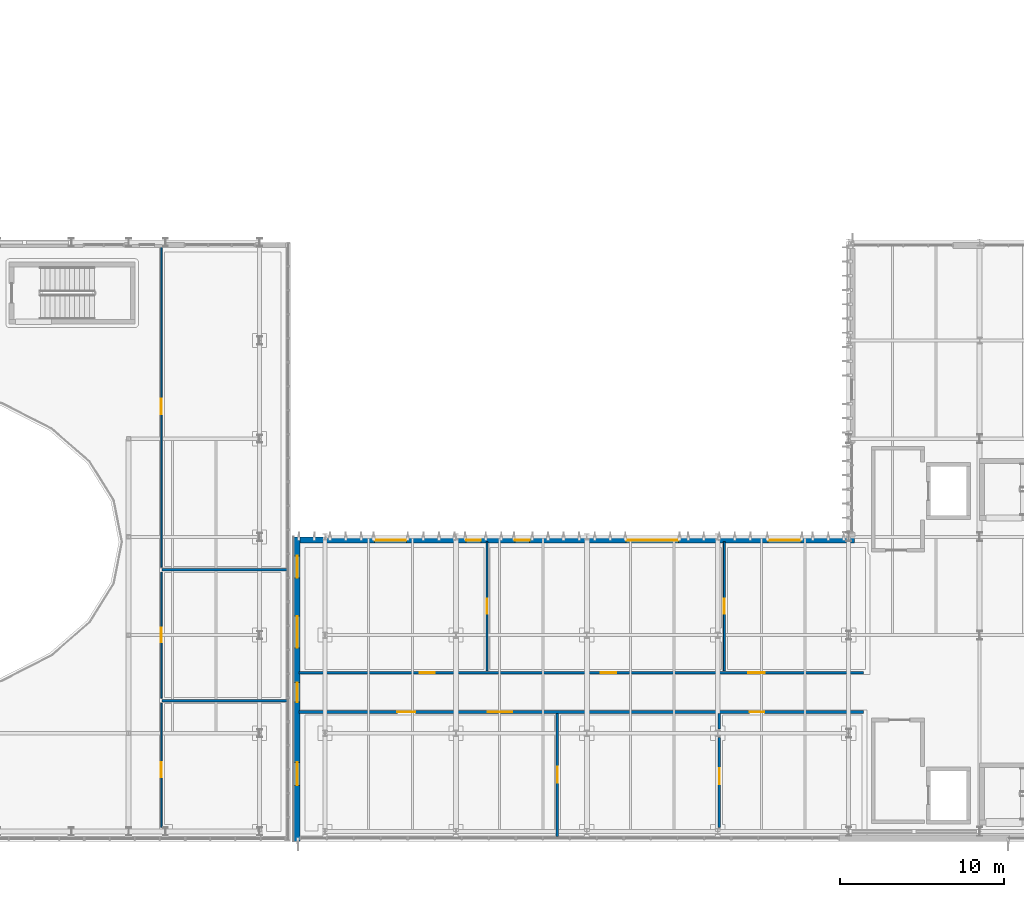
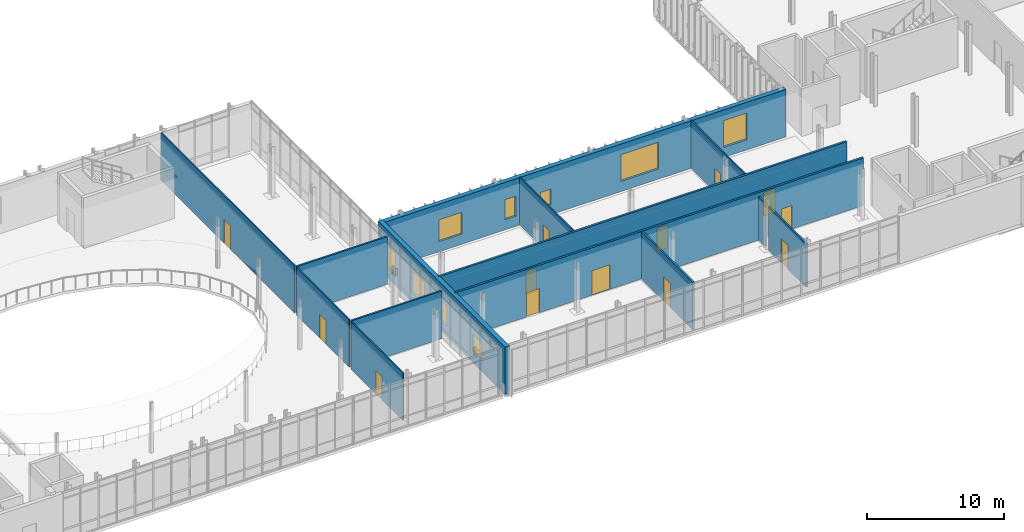
# One storey, part 71 of 100: 14 walls, 13 doors, 9 windows, 22 openings.
"""IFC4 building model written with IfcOpenShell, lengths in metres."""

from ifc_helpers import new_model, si_unit, direction, frame, frame_2d, origin, place, context, subcontext, project, spatial, rectangle, extrude, material, layer, layer_set, type_object, element, fill, save


model = new_model("IFC4")

# Units and contexts
model_context = context("Model", 3, precision=1e-05, world=origin(), true_north=direction((0.0, 1.0)))
body_context = subcontext(model_context, "Body", "Model", "MODEL_VIEW")
ifc_project = project(units=[si_unit("LENGTHUNIT", "METRE"), si_unit("AREAUNIT", "SQUARE_METRE"), si_unit("VOLUMEUNIT", "CUBIC_METRE"), si_unit("PLANEANGLEUNIT", "RADIAN"), si_unit("MASSUNIT", "GRAM", prefix="KILO")], contexts=[model_context])

# Site, building, storey
site_placement = place(None, origin())
site = spatial("IfcSite", under=ifc_project, at=site_placement, CompositionType="ELEMENT")
building_placement = place(site_placement, origin())
building = spatial("IfcBuilding", under=site, at=building_placement, Name="Cymarion Research Institute", CompositionType="ELEMENT")
storey_placement = place(building_placement, frame((0.0, 0.0, 9.300048828125)))
storey = spatial("IfcBuildingStorey", under=building, at=storey_placement, Name="L02", CompositionType="ELEMENT", Elevation=9.300048828125)

# Wall, openings, windows
ifc_material_1 = material(Name="Precast concrete C40/50", Category="concrete")
ifc_layer_1 = layer(ifc_material_1, 0.3798828125)
ifc_layer_set_1 = layer_set([ifc_layer_1], Name="Precast concrete C40/50")
wall_type_1 = type_object("IfcWallType", Name="EXTERIOR WALL EW-PC380 380MM", PredefinedType="SOLIDWALL", material=ifc_layer_set_1)
wall_1_placement = place(storey_placement, frame((138.9619140625, 23.31005859375, 0.0), z_axis=(0.0, 0.0, 1.0), x_axis=(-1.0, 0.0, 0.0)))
wall_1 = element("IfcWall", 1, at=wall_1_placement, inside=storey, type_object=wall_type_1, Name="L02 V1 exterior wall EW-PC380 #136", PredefinedType="SOLIDWALL", context=body_context, shape_type="SweptSolid", body=[
    extrude(rectangle(XDim=33.89990234375, YDim=0.3798828125, at=frame_2d((16.949951171875, 0.0))), origin(), (0.0, 0.0, 1.0), 4.25),
])
opening_1_placement = place(wall_1_placement, frame((3.281982421875, 0.0, 0.89990234375)))
opening_1 = element("IfcOpeningElement", 2, at=opening_1_placement, cuts=wall_1, Name="Opening W21", PredefinedType="OPENING", context=body_context, shape_type="SweptSolid", body=[
    extrude(rectangle(XDim=2.0, YDim=2.39990234375, at=frame_2d((1.0, 1.199951171875))), frame((0.0, 0.199951171875, 0.0), z_axis=(0.0, -1.0, 0.0), x_axis=(1.0, 0.0, 0.0)), (0.0, 0.0, 1.0), 0.39990234375),
])
opening_2_placement = place(wall_1_placement, frame((10.761962890625, 0.0, 0.89990234375)))
opening_2 = element("IfcOpeningElement", 3, at=opening_2_placement, cuts=wall_1, Name="Opening W23", PredefinedType="OPENING", context=body_context, shape_type="SweptSolid", body=[
    extrude(rectangle(XDim=3.199951171875, YDim=2.39990234375, at=frame_2d((1.60009765625, 1.199951171875))), frame((0.0, 0.199951171875, 0.0), z_axis=(0.0, -1.0, 0.0), x_axis=(1.0, 0.0, 0.0)), (0.0, 0.0, 1.0), 0.39990234375),
])
opening_3_placement = place(wall_1_placement, frame((19.862060546875, 0.0, 0.89990234375)))
opening_3 = element("IfcOpeningElement", 4, at=opening_3_placement, cuts=wall_1, Name="Opening W25", PredefinedType="OPENING", context=body_context, shape_type="SweptSolid", body=[
    extrude(rectangle(XDim=0.89990234375, YDim=1.39990234375, at=frame_2d((0.449951171875, 0.699951171875))), frame((0.0, 0.199951171875, 0.0), z_axis=(0.0, -1.0, 0.0), x_axis=(1.0, 0.0, 0.0)), (0.0, 0.0, 1.0), 0.39990234375),
])
opening_4_placement = place(wall_1_placement, frame((22.842041015625, 0.0, 0.89990234375)))
opening_4 = element("IfcOpeningElement", 5, at=opening_4_placement, cuts=wall_1, Name="Opening W24", PredefinedType="OPENING", context=body_context, shape_type="SweptSolid", body=[
    extrude(rectangle(XDim=0.89990234375, YDim=1.800048828125, at=frame_2d((0.449951171875, 0.89990234375))), frame((0.0, 0.199951171875, 0.0), z_axis=(0.0, -1.0, 0.0), x_axis=(1.0, 0.0, 0.0)), (0.0, 0.0, 1.0), 0.39990234375),
])
opening_5_placement = place(wall_1_placement, frame((27.386962890625, 0.0, 0.89990234375)))
opening_5 = element("IfcOpeningElement", 6, at=opening_5_placement, cuts=wall_1, Name="Opening W29", PredefinedType="OPENING", context=body_context, shape_type="SweptSolid", body=[
    extrude(rectangle(XDim=1.949951171875, YDim=1.949951171875, at=frame_2d((0.97509765625, 0.97509765625))), frame((0.0, 0.199951171875, 0.0), z_axis=(0.0, -1.0, 0.0), x_axis=(1.0, 0.0, 0.0)), (0.0, 0.0, 1.0), 0.39990234375),
])
ifc_material_2 = material(Name="Thermally broken aluminium window with Low-E glazing", Category="aluminium")
window_type_1 = type_object("IfcWindowType", Name="THERMALLY BROKEN ALUMINIUM WINDOW W21 2000X2400", PartitioningType="DOUBLE_PANEL_VERTICAL", PredefinedType="WINDOW", material=ifc_material_2)
window_1_placement = place(opening_1_placement, origin())
window_1 = element("IfcWindow", 7, at=window_1_placement, inside=storey, type_object=window_type_1, Name="L02 V1 facade window W21 #241", OverallHeight=2.39990234375, OverallWidth=2.0, PartitioningType="SINGLE_PANEL", PredefinedType="WINDOW", context=body_context, shape_type="SweptSolid", body=[
    extrude(rectangle(XDim=2.0, YDim=2.39990234375, at=frame_2d((1.0, 1.199951171875))), frame((0.0, 0.030029296875, 0.0), z_axis=(0.0, -1.0, 0.0), x_axis=(1.0, 0.0, 0.0)), (0.0, 0.0, 1.0), 0.06005859375),
])
fill(opening_1, window_1)
window_type_2 = type_object("IfcWindowType", Name="THERMALLY BROKEN ALUMINIUM WINDOW W23 3200X2400", PartitioningType="TRIPLE_PANEL_VERTICAL", PredefinedType="WINDOW", material=ifc_material_2)
window_2_placement = place(opening_2_placement, origin())
window_2 = element("IfcWindow", 8, at=window_2_placement, inside=storey, type_object=window_type_2, Name="L02 V1 facade window W23 #242", OverallHeight=2.39990234375, OverallWidth=3.199951171875, PartitioningType="SINGLE_PANEL", PredefinedType="WINDOW", context=body_context, shape_type="SweptSolid", body=[
    extrude(rectangle(XDim=3.199951171875, YDim=2.39990234375, at=frame_2d((1.60009765625, 1.199951171875))), frame((0.0, 0.030029296875, 0.0), z_axis=(0.0, -1.0, 0.0), x_axis=(1.0, 0.0, 0.0)), (0.0, 0.0, 1.0), 0.06005859375),
])
fill(opening_2, window_2)
window_type_3 = type_object("IfcWindowType", Name="THERMALLY BROKEN ALUMINIUM WINDOW W24 900X1800", PartitioningType="SINGLE_PANEL", PredefinedType="WINDOW", material=ifc_material_2)
window_3_placement = place(opening_4_placement, origin())
window_3 = element("IfcWindow", 9, at=window_3_placement, inside=storey, type_object=window_type_3, Name="L02 V1 facade window W24 #244", OverallHeight=1.800048828125, OverallWidth=0.89990234375, PartitioningType="SINGLE_PANEL", PredefinedType="WINDOW", context=body_context, shape_type="SweptSolid", body=[
    extrude(rectangle(XDim=0.89990234375, YDim=1.800048828125, at=frame_2d((0.449951171875, 0.89990234375))), frame((0.0, 0.030029296875, 0.0), z_axis=(0.0, -1.0, 0.0), x_axis=(1.0, 0.0, 0.0)), (0.0, 0.0, 1.0), 0.06005859375),
])
fill(opening_4, window_3)
window_type_4 = type_object("IfcWindowType", Name="THERMALLY BROKEN ALUMINIUM WINDOW W25 900X1400", PartitioningType="SINGLE_PANEL", PredefinedType="WINDOW", material=ifc_material_2)
window_4_placement = place(opening_3_placement, origin())
window_4 = element("IfcWindow", 10, at=window_4_placement, inside=storey, type_object=window_type_4, Name="L02 V1 facade window W25 #243", OverallHeight=1.39990234375, OverallWidth=0.89990234375, PartitioningType="SINGLE_PANEL", PredefinedType="WINDOW", context=body_context, shape_type="SweptSolid", body=[
    extrude(rectangle(XDim=0.89990234375, YDim=1.39990234375, at=frame_2d((0.449951171875, 0.699951171875))), frame((0.0, 0.030029296875, 0.0), z_axis=(0.0, -1.0, 0.0), x_axis=(1.0, 0.0, 0.0)), (0.0, 0.0, 1.0), 0.06005859375),
])
fill(opening_3, window_4)
window_type_5 = type_object("IfcWindowType", Name="THERMALLY BROKEN ALUMINIUM WINDOW W29 1950X1950", PartitioningType="DOUBLE_PANEL_VERTICAL", PredefinedType="WINDOW", material=ifc_material_2)
window_5_placement = place(opening_5_placement, origin())
window_5 = element("IfcWindow", 11, at=window_5_placement, inside=storey, type_object=window_type_5, Name="L02 V1 facade window W29 #245", OverallHeight=1.949951171875, OverallWidth=1.949951171875, PartitioningType="SINGLE_PANEL", PredefinedType="WINDOW", context=body_context, shape_type="SweptSolid", body=[
    extrude(rectangle(XDim=1.949951171875, YDim=1.949951171875, at=frame_2d((0.97509765625, 0.97509765625))), frame((0.0, 0.030029296875, 0.0), z_axis=(0.0, -1.0, 0.0), x_axis=(1.0, 0.0, 0.0)), (0.0, 0.0, 1.0), 0.06005859375),
])
fill(opening_5, window_5)

wall_2_placement = place(storey_placement, frame((104.889892578125, 23.5, 0.0), z_axis=(0.0, 0.0, 1.0), x_axis=(0.0, -1.0, 0.0)))
wall_2 = element("IfcWall", 12, at=wall_2_placement, inside=storey, type_object=wall_type_1, Name="L02 V1 exterior wall EW-PC380 #137", PredefinedType="SOLIDWALL", context=body_context, shape_type="SweptSolid", body=[
    extrude(rectangle(XDim=18.60009765625, YDim=0.3798828125, at=frame_2d((9.300048828125, 0.0))), origin(), (0.0, 0.0, 1.0), 4.25),
])
opening_6_placement = place(wall_2_placement, frame((1.155029296875, 0.0, 0.89990234375)))
opening_6 = element("IfcOpeningElement", 13, at=opening_6_placement, cuts=wall_2, Name="Opening W27", PredefinedType="OPENING", context=body_context, shape_type="SweptSolid", body=[
    extrude(rectangle(XDim=1.35009765625, YDim=1.949951171875, at=frame_2d((0.675048828125, 0.97509765625))), frame((0.0, 0.199951171875, 0.0), z_axis=(0.0, -1.0, 0.0), x_axis=(1.0, 0.0, 0.0)), (0.0, 0.0, 1.0), 0.39990234375),
])
opening_7_placement = place(wall_2_placement, frame((4.8349609375, 0.0, 0.89990234375)))
opening_7 = element("IfcOpeningElement", 14, at=opening_7_placement, cuts=wall_2, Name="Opening W29", PredefinedType="OPENING", context=body_context, shape_type="SweptSolid", body=[
    extrude(rectangle(XDim=1.949951171875, YDim=1.949951171875, at=frame_2d((0.97509765625, 0.97509765625))), frame((0.0, 0.199951171875, 0.0), z_axis=(0.0, -1.0, 0.0), x_axis=(1.0, 0.0, 0.0)), (0.0, 0.0, 1.0), 0.39990234375),
])
opening_8_placement = place(wall_2_placement, frame((8.89990234375, 0.0, 0.89990234375)))
opening_8 = element("IfcOpeningElement", 15, at=opening_8_placement, cuts=wall_2, Name="Opening W01", PredefinedType="OPENING", context=body_context, shape_type="SweptSolid", body=[
    extrude(rectangle(XDim=1.199951171875, YDim=1.800048828125, at=frame_2d((0.60009765625, 0.89990234375))), frame((0.0, 0.199951171875, 0.0), z_axis=(0.0, -1.0, 0.0), x_axis=(1.0, 0.0, 0.0)), (0.0, 0.0, 1.0), 0.39990234375),
])
opening_9_placement = place(wall_2_placement, frame((13.780029296875, 0.0, 0.89990234375)))
opening_9 = element("IfcOpeningElement", 16, at=opening_9_placement, cuts=wall_2, Name="Opening W33", PredefinedType="OPENING", context=body_context, shape_type="SweptSolid", body=[
    extrude(rectangle(XDim=1.39990234375, YDim=1.64990234375, at=frame_2d((0.699951171875, 0.824951171875))), frame((0.0, 0.199951171875, 0.0), z_axis=(0.0, -1.0, 0.0), x_axis=(1.0, 0.0, 0.0)), (0.0, 0.0, 1.0), 0.39990234375),
])
window_type_6 = type_object("IfcWindowType", Name="THERMALLY BROKEN ALUMINIUM WINDOW W01 1200X1800", PartitioningType="SINGLE_PANEL", PredefinedType="WINDOW", material=ifc_material_2)
window_6_placement = place(opening_8_placement, origin())
window_6 = element("IfcWindow", 17, at=window_6_placement, inside=storey, type_object=window_type_6, Name="L02 V1 facade window W01 #248", OverallHeight=1.800048828125, OverallWidth=1.199951171875, PartitioningType="SINGLE_PANEL", PredefinedType="WINDOW", context=body_context, shape_type="SweptSolid", body=[
    extrude(rectangle(XDim=1.199951171875, YDim=1.800048828125, at=frame_2d((0.60009765625, 0.89990234375))), frame((0.0, 0.030029296875, 0.0), z_axis=(0.0, -1.0, 0.0), x_axis=(1.0, 0.0, 0.0)), (0.0, 0.0, 1.0), 0.06005859375),
])
fill(opening_8, window_6)
window_type_7 = type_object("IfcWindowType", Name="THERMALLY BROKEN ALUMINIUM WINDOW W27 1350X1950", PartitioningType="SINGLE_PANEL", PredefinedType="WINDOW", material=ifc_material_2)
window_7_placement = place(opening_6_placement, origin())
window_7 = element("IfcWindow", 18, at=window_7_placement, inside=storey, type_object=window_type_7, Name="L02 V1 facade window W27 #246", OverallHeight=1.949951171875, OverallWidth=1.35009765625, PartitioningType="SINGLE_PANEL", PredefinedType="WINDOW", context=body_context, shape_type="SweptSolid", body=[
    extrude(rectangle(XDim=1.35009765625, YDim=1.949951171875, at=frame_2d((0.675048828125, 0.97509765625))), frame((0.0, 0.030029296875, 0.0), z_axis=(0.0, -1.0, 0.0), x_axis=(1.0, 0.0, 0.0)), (0.0, 0.0, 1.0), 0.06005859375),
])
fill(opening_6, window_7)
window_8_placement = place(opening_7_placement, origin())
window_8 = element("IfcWindow", 19, at=window_8_placement, inside=storey, type_object=window_type_5, Name="L02 V1 facade window W29 #247", OverallHeight=1.949951171875, OverallWidth=1.949951171875, PartitioningType="SINGLE_PANEL", PredefinedType="WINDOW", context=body_context, shape_type="SweptSolid", body=[
    extrude(rectangle(XDim=1.949951171875, YDim=1.949951171875, at=frame_2d((0.97509765625, 0.97509765625))), frame((0.0, 0.030029296875, 0.0), z_axis=(0.0, -1.0, 0.0), x_axis=(1.0, 0.0, 0.0)), (0.0, 0.0, 1.0), 0.06005859375),
])
fill(opening_7, window_8)
window_type_8 = type_object("IfcWindowType", Name="THERMALLY BROKEN ALUMINIUM WINDOW W33 1400X1650", PartitioningType="SINGLE_PANEL", PredefinedType="WINDOW", material=ifc_material_2)
window_9_placement = place(opening_9_placement, origin())
window_9 = element("IfcWindow", 20, at=window_9_placement, inside=storey, type_object=window_type_8, Name="L02 V1 facade window W33 #249", OverallHeight=1.64990234375, OverallWidth=1.39990234375, PartitioningType="SINGLE_PANEL", PredefinedType="WINDOW", context=body_context, shape_type="SweptSolid", body=[
    extrude(rectangle(XDim=1.39990234375, YDim=1.64990234375, at=frame_2d((0.699951171875, 0.824951171875))), frame((0.0, 0.030029296875, 0.0), z_axis=(0.0, -1.0, 0.0), x_axis=(1.0, 0.0, 0.0)), (0.0, 0.0, 1.0), 0.06005859375),
])
fill(opening_9, window_9)

# Wall, opening, door
ifc_material_3 = material(Name="Gypsum acoustic double-stud partition", Category="gypsum")
ifc_layer_2 = layer(ifc_material_3, 0.14990234375)
ifc_layer_set_2 = layer_set([ifc_layer_2], Name="Gypsum acoustic double-stud partition")
wall_type_2 = type_object("IfcWallType", Name="INTERIOR PARTITION IW-AC150 150MM", PredefinedType="PARTITIONING", material=ifc_layer_set_2)
wall_3_placement = place(storey_placement, frame((120.800048828125, 5.205078125, 0.0), z_axis=(0.0, 0.0, 1.0), x_axis=(0.0, 1.0, 0.0)))
wall_3 = element("IfcWall", 21, at=wall_3_placement, inside=storey, type_object=wall_type_2, Name="L02 V1 interior partition IW-AC150 #167", PredefinedType="PARTITIONING", context=body_context, shape_type="SweptSolid", body=[
    extrude(rectangle(XDim=7.514892578125, YDim=0.14990234375, at=frame_2d((3.75732421875, 0.0))), origin(), (0.0, 0.0, 1.0), 4.25),
])
opening_10_placement = place(wall_3_placement, frame((3.258056640625, 0.0, 0.0)))
opening_10 = element("IfcOpeningElement", 22, at=opening_10_placement, cuts=wall_3, Name="Opening D-L02-112", PredefinedType="OPENING", context=body_context, shape_type="SweptSolid", body=[
    extrude(rectangle(XDim=1.0, YDim=2.14990234375, at=frame_2d((0.5, 1.074951171875))), frame((0.0, 0.0849609375, 0.0), z_axis=(0.0, -1.0, 0.0), x_axis=(1.0, 0.0, 0.0)), (0.0, 0.0, 1.0), 0.169921875),
])
ifc_material_4 = material(Name="Flush acoustic timber/steel door assembly", Category="steel")
door_type_1 = type_object("IfcDoorType", Name="LABORATORY SINGLE LEAF DOOR DT-LB100 1000X2150", OperationType="NOTDEFINED", PredefinedType="DOOR", material=ifc_material_4)
door_1_placement = place(opening_10_placement, origin())
door_1 = element("IfcDoor", 23, at=door_1_placement, inside=storey, type_object=door_type_1, Name="L02 Inter-lab door D-L02-112", OperationType="SINGLE_SWING_LEFT", OverallHeight=2.14990234375, OverallWidth=1.0, PredefinedType="DOOR", context=body_context, shape_type="SweptSolid", body=[
    extrude(rectangle(XDim=1.0, YDim=2.14990234375, at=frame_2d((0.5, 1.074951171875))), frame((0.0, 0.02490234375, 0.0), z_axis=(0.0, -1.0, 0.0), x_axis=(1.0, 0.0, 0.0)), (0.0, 0.0, 1.0), 0.050048828125),
])
fill(opening_10, door_1)

wall_4_placement = place(storey_placement, frame((130.699951171875, 5.75, 0.0), z_axis=(0.0, 0.0, 1.0), x_axis=(0.0, 1.0, 0.0)))
wall_4 = element("IfcWall", 24, at=wall_4_placement, inside=storey, type_object=wall_type_2, Name="L02 V1 interior partition IW-AC150 #168", PredefinedType="PARTITIONING", context=body_context, shape_type="SweptSolid", body=[
    extrude(rectangle(XDim=5.5, YDim=0.14990234375, at=frame_2d((2.75, 0.0))), origin(), (0.0, 0.0, 1.0), 3.89990234375),
])
opening_11_placement = place(wall_4_placement, frame((2.6279296875, 0.0, 0.0)))
opening_11 = element("IfcOpeningElement", 25, at=opening_11_placement, cuts=wall_4, Name="Opening D-L02-113", PredefinedType="OPENING", context=body_context, shape_type="SweptSolid", body=[
    extrude(rectangle(XDim=1.0, YDim=2.14990234375, at=frame_2d((0.5, 1.074951171875))), frame((0.0, 0.0849609375, 0.0), z_axis=(0.0, -1.0, 0.0), x_axis=(1.0, 0.0, 0.0)), (0.0, 0.0, 1.0), 0.169921875),
])
door_2_placement = place(opening_11_placement, origin())
door_2 = element("IfcDoor", 26, at=door_2_placement, inside=storey, type_object=door_type_1, Name="L02 Inter-lab door D-L02-113", OperationType="SINGLE_SWING_RIGHT", OverallHeight=2.14990234375, OverallWidth=1.0, PredefinedType="DOOR", context=body_context, shape_type="SweptSolid", body=[
    extrude(rectangle(XDim=1.0, YDim=2.14990234375, at=frame_2d((0.5, 1.074951171875))), frame((0.0, 0.02490234375, 0.0), z_axis=(0.0, -1.0, 0.0), x_axis=(1.0, 0.0, 0.0)), (0.0, 0.0, 1.0), 0.050048828125),
])
fill(opening_11, door_2)

# Walls
wall_5_placement = place(storey_placement, frame((130.699951171875, 11.75, 0.0), z_axis=(0.0, 0.0, 1.0), x_axis=(0.0, 1.0, 0.0)))
element("IfcWall", 27, at=wall_5_placement, inside=storey, type_object=wall_type_2, Name="L02 V1 interior partition IW-AC150 #169", PredefinedType="PARTITIONING", context=body_context, shape_type="SweptSolid", body=[
    extrude(rectangle(XDim=0.969970703125, YDim=0.14990234375, at=frame_2d((0.48486328125, 0.0))), origin(), (0.0, 0.0, 1.0), 3.89990234375),
])
for number, where, z_axis, x_axis, name in (
    (28, (96.64990234375, 13.5, 0.0), (0.0, 0.0, 1.0), (1.0, 0.0, 0.0), "L02 V2 interior partition IW-AC150 #178"),
    (29, (96.64990234375, 21.5, 0.0), (0.0, 0.0, 1.0), (1.0, 0.0, 0.0), "L02 V2 interior partition IW-AC150 #179"),
):
    element("IfcWall", number, at=place(storey_placement, frame(where, z_axis=z_axis, x_axis=x_axis)), inside=storey, type_object=wall_type_2, Name=name, PredefinedType="PARTITIONING", context=body_context, shape_type="SweptSolid", body=[
        extrude(rectangle(XDim=7.630126953125, YDim=0.14990234375, at=frame_2d((3.81494140625, 0.0))), origin(), (0.0, 0.0, 1.0), 4.25),
    ])

# Wall, opening, door
ifc_material_5 = material(Name="Framed acoustic glass laboratory screen", Category="glass")
ifc_layer_3 = layer(ifc_material_5, 0.10009765625)
ifc_layer_set_3 = layer_set([ifc_layer_3], Name="Framed acoustic glass laboratory screen")
wall_type_3 = type_object("IfcWallType", Name="INTERIOR PARTITION IW-GL100 100MM", PredefinedType="PARTITIONING", material=ifc_layer_set_3)
wall_6_placement = place(storey_placement, frame((116.5, 15.320068359375, 0.0), z_axis=(0.0, 0.0, 1.0), x_axis=(0.0, 1.0, 0.0)))
wall_6 = element("IfcWall", 30, at=wall_6_placement, inside=storey, type_object=wall_type_3, Name="L02 V1 interior partition IW-GL100 #170", PredefinedType="PARTITIONING", context=body_context, shape_type="SweptSolid", body=[
    extrude(rectangle(XDim=7.875, YDim=0.10009765625, at=frame_2d((3.9375, 0.0))), origin(), (0.0, 0.0, 1.0), 4.25),
])
opening_12_placement = place(wall_6_placement, frame((3.487060546875, 0.0, 0.0)))
opening_12 = element("IfcOpeningElement", 31, at=opening_12_placement, cuts=wall_6, Name="Opening D-L02-114", PredefinedType="OPENING", context=body_context, shape_type="SweptSolid", body=[
    extrude(rectangle(XDim=0.89990234375, YDim=2.10009765625, at=frame_2d((0.449951171875, 1.050048828125))), frame((0.0, 0.06005859375, 0.0), z_axis=(0.0, -1.0, 0.0), x_axis=(1.0, 0.0, 0.0)), (0.0, 0.0, 1.0), 0.1201171875),
])
door_type_2 = type_object("IfcDoorType", Name="RESEARCH WRITE-UP OFFICE DOOR DT-OF090 900X2100", OperationType="NOTDEFINED", PredefinedType="DOOR", material=ifc_material_4)
door_3_placement = place(opening_12_placement, origin())
door_3 = element("IfcDoor", 32, at=door_3_placement, inside=storey, type_object=door_type_2, Name="L02 Write-up door D-L02-114", OperationType="SINGLE_SWING_LEFT", OverallHeight=2.10009765625, OverallWidth=0.89990234375, PredefinedType="DOOR", context=body_context, shape_type="SweptSolid", body=[
    extrude(rectangle(XDim=0.89990234375, YDim=2.10009765625, at=frame_2d((0.449951171875, 1.050048828125))), frame((0.0, 0.02490234375, 0.0), z_axis=(0.0, -1.0, 0.0), x_axis=(1.0, 0.0, 0.0)), (0.0, 0.0, 1.0), 0.050048828125),
])
fill(opening_12, door_3)

wall_7_placement = place(storey_placement, frame((96.60009765625, 5.75, 0.0), z_axis=(0.0, 0.0, 1.0), x_axis=(0.0, 1.0, 0.0)))
wall_7 = element("IfcWall", 33, at=wall_7_placement, inside=storey, type_object=wall_type_3, Name="L02 V2 interior partition IW-GL100 #180", PredefinedType="PARTITIONING", context=body_context, shape_type="SweptSolid", body=[
    extrude(rectangle(XDim=7.60009765625, YDim=0.10009765625, at=frame_2d((3.800048828125, 0.0))), origin(), (0.0, 0.0, 1.0), 4.25),
])
opening_13_placement = place(wall_7_placement, frame((3.072021484375, 0.0, 0.0)))
opening_13 = element("IfcOpeningElement", 34, at=opening_13_placement, cuts=wall_7, Name="Opening D-L02-121", PredefinedType="OPENING", context=body_context, shape_type="SweptSolid", body=[
    extrude(rectangle(XDim=0.89990234375, YDim=2.10009765625, at=frame_2d((0.449951171875, 1.050048828125))), frame((0.0, 0.06005859375, 0.0), z_axis=(0.0, -1.0, 0.0), x_axis=(1.0, 0.0, 0.0)), (0.0, 0.0, 1.0), 0.1201171875),
])
door_type_3 = type_object("IfcDoorType", Name="ACCESSIBLE RESTROOM DOOR DT-WC090 900X2100", OperationType="NOTDEFINED", PredefinedType="DOOR", material=ifc_material_4)
door_4_placement = place(opening_13_placement, origin())
door_4 = element("IfcDoor", 35, at=door_4_placement, inside=storey, type_object=door_type_3, Name="L02 Public Restroom door D-L02-121", OperationType="SINGLE_SWING_RIGHT", OverallHeight=2.10009765625, OverallWidth=0.89990234375, PredefinedType="DOOR", context=body_context, shape_type="SweptSolid", body=[
    extrude(rectangle(XDim=0.89990234375, YDim=2.10009765625, at=frame_2d((0.449951171875, 1.050048828125))), frame((0.0, 0.02490234375, 0.0), z_axis=(0.0, -1.0, 0.0), x_axis=(1.0, 0.0, 0.0)), (0.0, 0.0, 1.0), 0.050048828125),
])
fill(opening_13, door_4)

wall_8_placement = place(storey_placement, frame((96.60009765625, 13.64990234375, 0.0), z_axis=(0.0, 0.0, 1.0), x_axis=(0.0, 1.0, 0.0)))
wall_8 = element("IfcWall", 36, at=wall_8_placement, inside=storey, type_object=wall_type_3, Name="L02 V2 interior partition IW-GL100 #181", PredefinedType="PARTITIONING", context=body_context, shape_type="SweptSolid", body=[
    extrude(rectangle(XDim=7.7001953125, YDim=0.10009765625, at=frame_2d((3.85009765625, 0.0))), origin(), (0.0, 0.0, 1.0), 4.25),
])
opening_14_placement = place(wall_8_placement, frame((3.39990234375, 0.0, 0.0)))
opening_14 = element("IfcOpeningElement", 37, at=opening_14_placement, cuts=wall_8, Name="Opening D-L02-122", PredefinedType="OPENING", context=body_context, shape_type="SweptSolid", body=[
    extrude(rectangle(XDim=0.89990234375, YDim=2.10009765625, at=frame_2d((0.449951171875, 1.050048828125))), frame((0.0, 0.06005859375, 0.0), z_axis=(0.0, -1.0, 0.0), x_axis=(1.0, 0.0, 0.0)), (0.0, 0.0, 1.0), 0.1201171875),
])
door_5_placement = place(opening_14_placement, origin())
door_5 = element("IfcDoor", 38, at=door_5_placement, inside=storey, type_object=door_type_2, Name="L02 Seminar door D-L02-122", OperationType="SINGLE_SWING_LEFT", OverallHeight=2.10009765625, OverallWidth=0.89990234375, PredefinedType="DOOR", context=body_context, shape_type="SweptSolid", body=[
    extrude(rectangle(XDim=0.89990234375, YDim=2.10009765625, at=frame_2d((0.449951171875, 1.050048828125))), frame((0.0, 0.02490234375, 0.0), z_axis=(0.0, -1.0, 0.0), x_axis=(1.0, 0.0, 0.0)), (0.0, 0.0, 1.0), 0.050048828125),
])
fill(opening_14, door_5)

wall_9_placement = place(storey_placement, frame((96.60009765625, 21.64990234375, 0.0), z_axis=(0.0, 0.0, 1.0), x_axis=(0.0, 1.0, 0.0)))
wall_9 = element("IfcWall", 39, at=wall_9_placement, inside=storey, type_object=wall_type_3, Name="L02 V2 interior partition IW-GL100 #182", PredefinedType="PARTITIONING", context=body_context, shape_type="SweptSolid", body=[
    extrude(rectangle(XDim=19.60009765625, YDim=0.10009765625, at=frame_2d((9.800048828125, 0.0))), origin(), (0.0, 0.0, 1.0), 4.25),
])
opening_15_placement = place(wall_9_placement, frame((9.339111328125, 0.0, 0.0)))
opening_15 = element("IfcOpeningElement", 40, at=opening_15_placement, cuts=wall_9, Name="Opening D-L02-123", PredefinedType="OPENING", context=body_context, shape_type="SweptSolid", body=[
    extrude(rectangle(XDim=0.949951171875, YDim=2.10009765625, at=frame_2d((0.47509765625, 1.050048828125))), frame((0.0, 0.06005859375, 0.0), z_axis=(0.0, -1.0, 0.0), x_axis=(1.0, 0.0, 0.0)), (0.0, 0.0, 1.0), 0.1201171875),
])
door_type_4 = type_object("IfcDoorType", Name="FACULTY STUDY DOOR DT-OF095 950X2100", OperationType="NOTDEFINED", PredefinedType="DOOR", material=ifc_material_4)
door_6_placement = place(opening_15_placement, origin())
door_6 = element("IfcDoor", 41, at=door_6_placement, inside=storey, type_object=door_type_4, Name="L02 Reading door D-L02-123", OperationType="SINGLE_SWING_RIGHT", OverallHeight=2.10009765625, OverallWidth=0.949951171875, PredefinedType="DOOR", context=body_context, shape_type="SweptSolid", body=[
    extrude(rectangle(XDim=0.949951171875, YDim=2.10009765625, at=frame_2d((0.47509765625, 1.050048828125))), frame((0.0, 0.02490234375, 0.0), z_axis=(0.0, -1.0, 0.0), x_axis=(1.0, 0.0, 0.0)), (0.0, 0.0, 1.0), 0.050048828125),
])
fill(opening_15, door_6)

# Wall, openings, doors
ifc_material_6 = material(Name="Moisture-resistant laboratory partition", Category="gypsum")
ifc_layer_4 = layer(ifc_material_6, 0.179931640625)
ifc_layer_set_4 = layer_set([ifc_layer_4], Name="Moisture-resistant laboratory partition")
wall_type_4 = type_object("IfcWallType", Name="INTERIOR PARTITION IW-LB180 180MM", PredefinedType="PARTITIONING", material=ifc_layer_set_4)
wall_10_placement = place(storey_placement, frame((105.0048828125, 12.800048828125, 0.0), z_axis=(0.0, 0.0, 1.0), x_axis=(1.0, 0.0, 0.0)))
wall_10 = element("IfcWall", 42, at=wall_10_placement, inside=storey, type_object=wall_type_4, Name="L02 V1 interior partition IW-LB180 #165", PredefinedType="PARTITIONING", context=body_context, shape_type="SweptSolid", body=[
    extrude(rectangle(XDim=34.4951171875, YDim=0.179931640625, at=frame_2d((17.24755859375, 0.0))), origin(), (0.0, 0.0, 1.0), 4.25),
])
opening_16_placement = place(wall_10_placement, frame((6.010986328125, 0.0, 0.0)))
opening_16 = element("IfcOpeningElement", 43, at=opening_16_placement, cuts=wall_10, Name="Opening D-L02-106", PredefinedType="OPENING", context=body_context, shape_type="SweptSolid", body=[
    extrude(rectangle(XDim=1.10009765625, YDim=2.14990234375, at=frame_2d((0.550048828125, 1.074951171875))), frame((0.0, 0.099853515625, 0.0), z_axis=(0.0, -1.0, 0.0), x_axis=(1.0, 0.0, 0.0)), (0.0, 0.0, 1.0), 0.199951171875),
])
opening_17_placement = place(wall_10_placement, frame((11.548095703125, 0.0, 0.0)))
opening_17 = element("IfcOpeningElement", 44, at=opening_17_placement, cuts=wall_10, Name="Opening D-L02-107", PredefinedType="OPENING", context=body_context, shape_type="SweptSolid", body=[
    extrude(rectangle(XDim=1.5, YDim=2.199951171875, at=frame_2d((0.75, 1.10009765625))), frame((0.0, 0.099853515625, 0.0), z_axis=(0.0, -1.0, 0.0), x_axis=(1.0, 0.0, 0.0)), (0.0, 0.0, 1.0), 0.199951171875),
])
opening_18_placement = place(wall_10_placement, frame((27.548095703125, 0.0, 0.0)))
opening_18 = element("IfcOpeningElement", 45, at=opening_18_placement, cuts=wall_10, Name="Opening D-L02-108", PredefinedType="OPENING", context=body_context, shape_type="SweptSolid", body=[
    extrude(rectangle(XDim=0.89990234375, YDim=2.10009765625, at=frame_2d((0.449951171875, 1.050048828125))), frame((0.0, 0.099853515625, 0.0), z_axis=(0.0, -1.0, 0.0), x_axis=(1.0, 0.0, 0.0)), (0.0, 0.0, 1.0), 0.199951171875),
])
door_7_placement = place(opening_18_placement, origin())
door_7 = element("IfcDoor", 46, at=door_7_placement, inside=storey, type_object=door_type_3, Name="L02 Restroom door D-L02-108", OperationType="SINGLE_SWING_LEFT", OverallHeight=2.10009765625, OverallWidth=0.89990234375, PredefinedType="DOOR", context=body_context, shape_type="SweptSolid", body=[
    extrude(rectangle(XDim=0.89990234375, YDim=2.10009765625, at=frame_2d((0.449951171875, 1.050048828125))), frame((0.0, 0.02490234375, 0.0), z_axis=(0.0, -1.0, 0.0), x_axis=(1.0, 0.0, 0.0)), (0.0, 0.0, 1.0), 0.050048828125),
])
fill(opening_18, door_7)
door_type_5 = type_object("IfcDoorType", Name="LABORATORY EQUIPMENT DOUBLE DOOR DT-LB150 1500X2200", OperationType="DOUBLE_DOOR_SINGLE_SWING", PredefinedType="DOOR", material=ifc_material_4)
door_8_placement = place(opening_17_placement, origin())
door_8 = element("IfcDoor", 47, at=door_8_placement, inside=storey, type_object=door_type_5, Name="L02 Lab S2 door D-L02-107", OperationType="DOUBLE_DOOR_SINGLE_SWING", OverallHeight=2.199951171875, OverallWidth=1.5, PredefinedType="DOOR", context=body_context, shape_type="SweptSolid", body=[
    extrude(rectangle(XDim=1.5, YDim=2.199951171875, at=frame_2d((0.75, 1.10009765625))), frame((0.0, 0.02490234375, 0.0), z_axis=(0.0, -1.0, 0.0), x_axis=(1.0, 0.0, 0.0)), (0.0, 0.0, 1.0), 0.050048828125),
])
fill(opening_17, door_8)
door_type_6 = type_object("IfcDoorType", Name="LABORATORY WIDE SINGLE DOOR DT-LB110 1100X2150", OperationType="NOTDEFINED", PredefinedType="DOOR", material=ifc_material_4)
door_9_placement = place(opening_16_placement, origin())
door_9 = element("IfcDoor", 48, at=door_9_placement, inside=storey, type_object=door_type_6, Name="L02 Lab S1 door D-L02-106", OperationType="SINGLE_SWING_LEFT", OverallHeight=2.14990234375, OverallWidth=1.10009765625, PredefinedType="DOOR", context=body_context, shape_type="SweptSolid", body=[
    extrude(rectangle(XDim=1.10009765625, YDim=2.14990234375, at=frame_2d((0.550048828125, 1.074951171875))), frame((0.0, 0.02490234375, 0.0), z_axis=(0.0, -1.0, 0.0), x_axis=(1.0, 0.0, 0.0)), (0.0, 0.0, 1.0), 0.050048828125),
])
fill(opening_16, door_9)

wall_11_placement = place(storey_placement, frame((105.0048828125, 15.199951171875, 0.0), z_axis=(0.0, 0.0, 1.0), x_axis=(1.0, 0.0, 0.0)))
wall_11 = element("IfcWall", 49, at=wall_11_placement, inside=storey, type_object=wall_type_4, Name="L02 V1 interior partition IW-LB180 #166", PredefinedType="PARTITIONING", context=body_context, shape_type="SweptSolid", body=[
    extrude(rectangle(XDim=34.4951171875, YDim=0.179931640625, at=frame_2d((17.24755859375, 0.0))), origin(), (0.0, 0.0, 1.0), 4.25),
])
opening_19_placement = place(wall_11_placement, frame((7.39111328125, 0.0, 0.0)))
opening_19 = element("IfcOpeningElement", 50, at=opening_19_placement, cuts=wall_11, Name="Opening D-L02-109", PredefinedType="OPENING", context=body_context, shape_type="SweptSolid", body=[
    extrude(rectangle(XDim=0.89990234375, YDim=2.10009765625, at=frame_2d((0.449951171875, 1.050048828125))), frame((0.0, 0.099853515625, 0.0), z_axis=(0.0, -1.0, 0.0), x_axis=(1.0, 0.0, 0.0)), (0.0, 0.0, 1.0), 0.199951171875),
])
opening_20_placement = place(wall_11_placement, frame((18.449951171875, 0.0, 0.0)))
opening_20 = element("IfcOpeningElement", 51, at=opening_20_placement, cuts=wall_11, Name="Opening D-L02-110", PredefinedType="OPENING", context=body_context, shape_type="SweptSolid", body=[
    extrude(rectangle(XDim=0.949951171875, YDim=2.10009765625, at=frame_2d((0.47509765625, 1.050048828125))), frame((0.0, 0.099853515625, 0.0), z_axis=(0.0, -1.0, 0.0), x_axis=(1.0, 0.0, 0.0)), (0.0, 0.0, 1.0), 0.199951171875),
])
opening_21_placement = place(wall_11_placement, frame((27.466064453125, 0.0, 0.0)))
opening_21 = element("IfcOpeningElement", 52, at=opening_21_placement, cuts=wall_11, Name="Opening D-L02-111", PredefinedType="OPENING", context=body_context, shape_type="SweptSolid", body=[
    extrude(rectangle(XDim=1.0, YDim=2.14990234375, at=frame_2d((0.5, 1.074951171875))), frame((0.0, 0.099853515625, 0.0), z_axis=(0.0, -1.0, 0.0), x_axis=(1.0, 0.0, 0.0)), (0.0, 0.0, 1.0), 0.199951171875),
])
door_10_placement = place(opening_20_placement, origin())
door_10 = element("IfcDoor", 53, at=door_10_placement, inside=storey, type_object=door_type_4, Name="L02 Write-up 2 door D-L02-110", OperationType="SINGLE_SWING_LEFT", OverallHeight=2.10009765625, OverallWidth=0.949951171875, PredefinedType="DOOR", context=body_context, shape_type="SweptSolid", body=[
    extrude(rectangle(XDim=0.949951171875, YDim=2.10009765625, at=frame_2d((0.47509765625, 1.050048828125))), frame((0.0, 0.02490234375, 0.0), z_axis=(0.0, -1.0, 0.0), x_axis=(1.0, 0.0, 0.0)), (0.0, 0.0, 1.0), 0.050048828125),
])
fill(opening_20, door_10)
door_11_placement = place(opening_21_placement, origin())
door_11 = element("IfcDoor", 54, at=door_11_placement, inside=storey, type_object=door_type_1, Name="L02 Prep Room door D-L02-111", OperationType="SINGLE_SWING_RIGHT", OverallHeight=2.14990234375, OverallWidth=1.0, PredefinedType="DOOR", context=body_context, shape_type="SweptSolid", body=[
    extrude(rectangle(XDim=1.0, YDim=2.14990234375, at=frame_2d((0.5, 1.074951171875))), frame((0.0, 0.02490234375, 0.0), z_axis=(0.0, -1.0, 0.0), x_axis=(1.0, 0.0, 0.0)), (0.0, 0.0, 1.0), 0.050048828125),
])
fill(opening_21, door_11)
door_12_placement = place(opening_19_placement, origin())
door_12 = element("IfcDoor", 55, at=door_12_placement, inside=storey, type_object=door_type_2, Name="L02 Write-up 1 door D-L02-109", OperationType="SINGLE_SWING_RIGHT", OverallHeight=2.10009765625, OverallWidth=0.89990234375, PredefinedType="DOOR", context=body_context, shape_type="SweptSolid", body=[
    extrude(rectangle(XDim=0.89990234375, YDim=2.10009765625, at=frame_2d((0.449951171875, 1.050048828125))), frame((0.0, 0.02490234375, 0.0), z_axis=(0.0, -1.0, 0.0), x_axis=(1.0, 0.0, 0.0)), (0.0, 0.0, 1.0), 0.050048828125),
])
fill(opening_19, door_12)

# Wall, opening, door
ifc_material_7 = material(Name="Service riser shaft wall", Category="gypsum")
ifc_layer_5 = layer(ifc_material_7, 0.1201171875)
ifc_layer_set_5 = layer_set([ifc_layer_5], Name="Service riser shaft wall")
wall_type_5 = type_object("IfcWallType", Name="INTERIOR PARTITION IW-SH120 120MM", PredefinedType="PARTITIONING", material=ifc_layer_set_5)
wall_12_placement = place(storey_placement, frame((131.0, 15.320068359375, 0.0), z_axis=(0.0, 0.0, 1.0), x_axis=(0.0, 1.0, 0.0)))
wall_12 = element("IfcWall", 56, at=wall_12_placement, inside=storey, type_object=wall_type_5, Name="L02 V1 interior partition IW-SH120 #171", PredefinedType="PARTITIONING", context=body_context, shape_type="SweptSolid", body=[
    extrude(rectangle(XDim=7.875, YDim=0.1201171875, at=frame_2d((3.9375, 0.0))), origin(), (0.0, 0.0, 1.0), 4.25),
])
opening_22_placement = place(wall_12_placement, frame((3.487060546875, 0.0, 0.0)))
opening_22 = element("IfcOpeningElement", 57, at=opening_22_placement, cuts=wall_12, Name="Opening D-L02-115", PredefinedType="OPENING", context=body_context, shape_type="SweptSolid", body=[
    extrude(rectangle(XDim=0.89990234375, YDim=2.10009765625, at=frame_2d((0.449951171875, 1.050048828125))), frame((0.0, 0.070068359375, 0.0), z_axis=(0.0, -1.0, 0.0), x_axis=(1.0, 0.0, 0.0)), (0.0, 0.0, 1.0), 0.14013671875),
])
door_13_placement = place(opening_22_placement, origin())
door_13 = element("IfcDoor", 58, at=door_13_placement, inside=storey, type_object=door_type_2, Name="L02 Seminar door D-L02-115", OperationType="SINGLE_SWING_RIGHT", OverallHeight=2.10009765625, OverallWidth=0.89990234375, PredefinedType="DOOR", context=body_context, shape_type="SweptSolid", body=[
    extrude(rectangle(XDim=0.89990234375, YDim=2.10009765625, at=frame_2d((0.449951171875, 1.050048828125))), frame((0.0, 0.02490234375, 0.0), z_axis=(0.0, -1.0, 0.0), x_axis=(1.0, 0.0, 0.0)), (0.0, 0.0, 1.0), 0.050048828125),
])
fill(opening_22, door_13)

save(model, "model.ifc")
